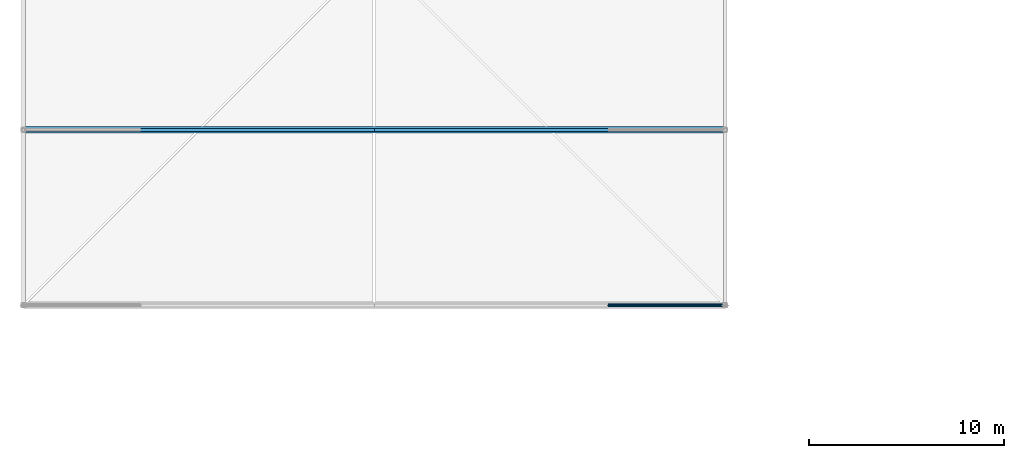
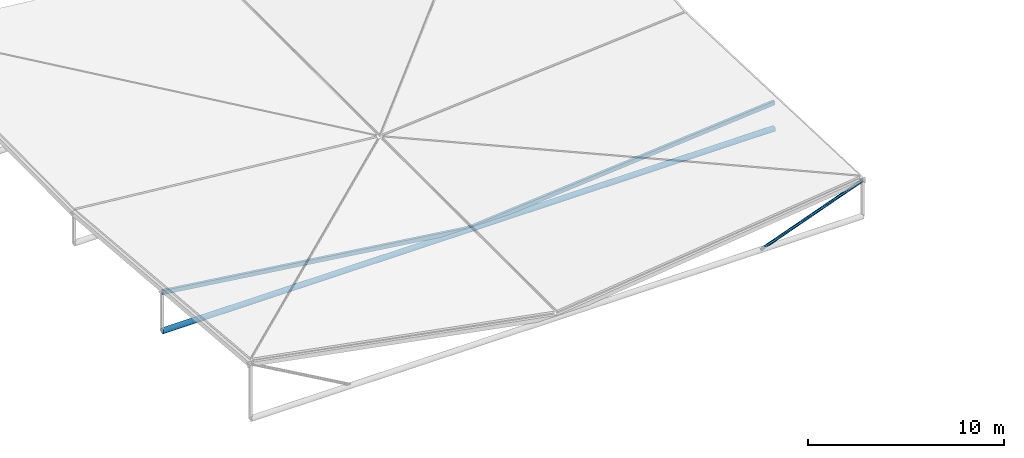
# One storey, part 6 of 44: 4 members.
"""IFC4 building model written with IfcOpenShell, lengths in metres."""

from ifc_helpers import new_model, si_unit, direction, frame, origin, origin_2d, place, context, subcontext, project, spatial, hollow_rectangle, hollow_circle, extrude, material, material_profile, profile_set, type_object, element, save


model = new_model("IFC4")

# Units and contexts
model_context = context("Model", 3, precision=1e-05, world=origin(), true_north=direction((0.0, 1.0)))
body_context = subcontext(model_context, "Body", "Model", "MODEL_VIEW")
ifc_project = project(units=[si_unit("LENGTHUNIT", "METRE"), si_unit("AREAUNIT", "SQUARE_METRE"), si_unit("VOLUMEUNIT", "CUBIC_METRE"), si_unit("PLANEANGLEUNIT", "RADIAN"), si_unit("MASSUNIT", "GRAM", prefix="KILO")], contexts=[model_context])

# Site, building, storey
site_placement = place(None, origin())
site = spatial("IfcSite", under=ifc_project, at=site_placement, CompositionType="ELEMENT")
building_placement = place(site_placement, origin())
building = spatial("IfcBuilding", under=site, at=building_placement, Name="Deido Ridge Mobility Hub", CompositionType="ELEMENT")
storey_placement = place(building_placement, frame((0.0, 0.0, 25.199951171875)))
storey = spatial("IfcBuildingStorey", under=building, at=storey_placement, Name="L06", CompositionType="ELEMENT", Elevation=25.199951171875)

# Members
ifc_material = material(Name="Steel S355J2H EN 10210-1", Category="steel")
ifc_material_profile_1 = material_profile(ifc_material, hollow_circle(Radius=0.161865234375, WallThickness=0.012451171875, at=origin_2d()), Name="CHS 323.9x12.5")
ifc_profile_set_1 = profile_set([ifc_material_profile_1], Name="Steel S355J2H EN 10210-1")
member_type_1 = type_object("IfcMemberType", Name="MEM-CHD-CHS324", PredefinedType="CHORD", material=ifc_profile_set_1)
member_1_placement = place(storey_placement, frame((63.0, 54.0, 0.0), z_axis=(1.0, 0.0, 0.0), x_axis=(0.0, 1.0, 0.0)))
element("IfcMember", 1, at=member_1_placement, inside=storey, type_object=member_type_1, Name="Sports origami tie chord CH2", PredefinedType="CHORD", context=body_context, shape_type="SweptSolid", body=[
    extrude(hollow_circle(Radius=0.161865234375, WallThickness=0.012451171875, at=origin_2d()), origin(), (0.0, 0.0, 1.0), 36.0),
])
ifc_material_profile_2 = material_profile(ifc_material, hollow_rectangle(XDim=0.14990234375, YDim=0.25, WallThickness=0.010009765625, at=origin_2d()), Name="RHS 250x150x10")
ifc_profile_set_2 = profile_set([ifc_material_profile_2], Name="Steel S355J2H EN 10210-1")
member_type_2 = type_object("IfcMemberType", Name="MEM-RAF-RHS250", PredefinedType="RAFTER", material=ifc_profile_set_2)
member_2_placement = place(storey_placement, frame((63.0, 54.0, 2.420166015625), z_axis=(0.991442207947, 0.0, -0.130546345415), x_axis=(0.0, 1.0, 0.0)))
element("IfcMember", 2, at=member_2_placement, inside=storey, type_object=member_type_2, Name="Sports origami rafter RF1", PredefinedType="RAFTER", context=body_context, shape_type="SweptSolid", body=[
    extrude(hollow_rectangle(XDim=0.14990234375, YDim=0.25, WallThickness=0.010009765625, at=origin_2d()), origin(), (0.0, 0.0, 1.0), 18.1552734375),
])
member_3_placement = place(storey_placement, frame((81.0, 54.0, 0.050048828125), z_axis=(0.99621738178, 0.0, 0.086896077233), x_axis=(0.0, 1.0, 0.0)))
element("IfcMember", 3, at=member_3_placement, inside=storey, type_object=member_type_2, Name="Sports origami rafter RF1", PredefinedType="RAFTER", context=body_context, shape_type="SweptSolid", body=[
    extrude(hollow_rectangle(XDim=0.14990234375, YDim=0.25, WallThickness=0.010009765625, at=origin_2d()), origin(), (0.0, 0.0, 1.0), 18.068359375),
])
ifc_material_profile_3 = material_profile(ifc_material, hollow_circle(Radius=0.084228515625, WallThickness=0.008056640625, at=origin_2d()), Name="CHS 168.3x8")
ifc_profile_set_3 = profile_set([ifc_material_profile_3], Name="Steel S355J2H EN 10210-1")
member_type_3 = type_object("IfcMemberType", Name="MEM-STR-CHS168", PredefinedType="STRUT", material=ifc_profile_set_3)
member_4_placement = place(storey_placement, frame((93.0, 45.0, 0.0), z_axis=(0.937863333025, 0.0, 0.347004853809), x_axis=(0.0, 1.0, 0.0)))
element("IfcMember", 4, at=member_4_placement, inside=storey, type_object=member_type_3, Name="Origami diagonal web SR1", PredefinedType="STRUT", context=body_context, shape_type="SweptSolid", body=[
    extrude(hollow_circle(Radius=0.084228515625, WallThickness=0.008056640625, at=origin_2d()), origin(), (0.0, 0.0, 1.0), 6.3974609375),
])

save(model, "model.ifc")
